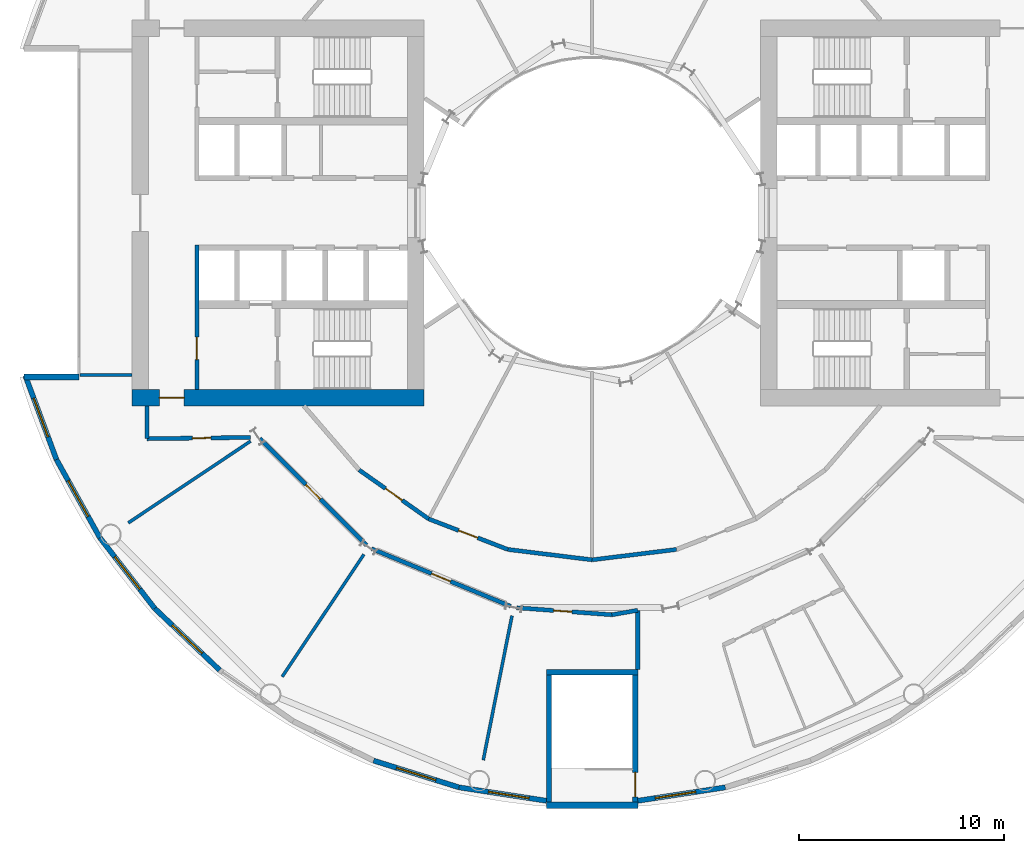
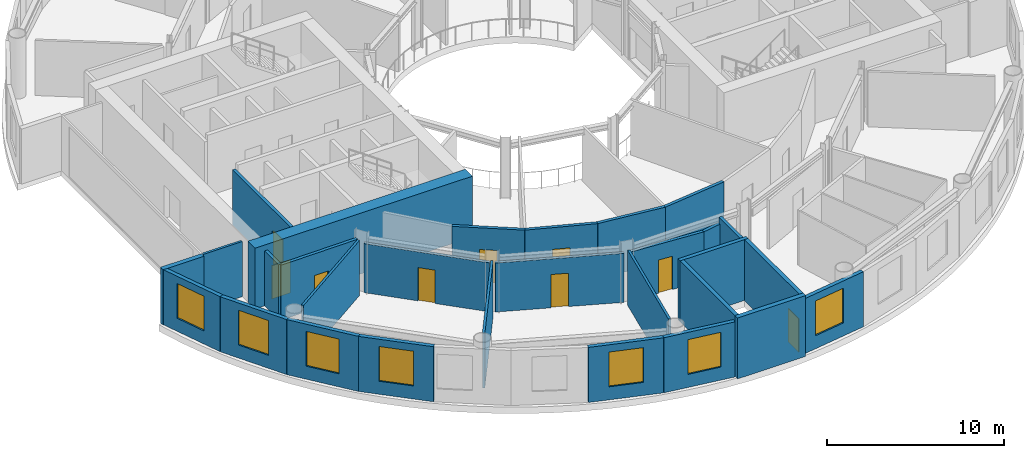
# One storey, part 4 of 13: 29 walls, 9 doors, 7 windows, 16 openings.
"""IFC4 building model written with IfcOpenShell, lengths in metres."""

from ifc_helpers import new_model, si_unit, direction, frame, frame_2d, origin, place, context, subcontext, project, spatial, rectangle, extrude, material, layer, layer_set, type_object, element, fill, save


model = new_model("IFC4")

# Units and contexts
model_context = context("Model", 3, precision=1e-05, world=origin(), true_north=direction((0.0, 1.0)))
body_context = subcontext(model_context, "Body", "Model", "MODEL_VIEW")
ifc_project = project(units=[si_unit("LENGTHUNIT", "METRE"), si_unit("AREAUNIT", "SQUARE_METRE"), si_unit("VOLUMEUNIT", "CUBIC_METRE"), si_unit("PLANEANGLEUNIT", "RADIAN"), si_unit("MASSUNIT", "GRAM", prefix="KILO")], contexts=[model_context])

# Site, building, storey
site_placement = place(None, origin())
site = spatial("IfcSite", under=ifc_project, at=site_placement, CompositionType="ELEMENT")
building_placement = place(site_placement, origin())
building = spatial("IfcBuilding", under=site, at=building_placement, Name="Maasbend Ring Residences", CompositionType="ELEMENT")
storey_placement = place(building_placement, frame((0.0, 0.0, 14.10009765625)))
storey = spatial("IfcBuildingStorey", under=building, at=storey_placement, Name="L03", CompositionType="ELEMENT", Elevation=14.10009765625)

# Wall, opening, door
ifc_material_1 = material(Name="Concrete C70/85", Category="concrete")
ifc_layer_1 = layer(ifc_material_1, 0.25)
ifc_layer_set_1 = layer_set([ifc_layer_1], Name="Concrete C70/85")
wall_type_1 = type_object("IfcWallType", Name="CORE WALL 250 C70/85", PredefinedType="SHEAR", material=ifc_layer_set_1)
wall_1_placement = place(storey_placement, frame((2.10009765625, -28.699951171875, 0.0), z_axis=(0.0, 0.0, 1.0), x_axis=(0.0, 1.0, 0.0)))
wall_1 = element("IfcWall", 1, at=wall_1_placement, inside=storey, type_object=wall_type_1, Name="L03 ST-P3 enclosure wall WS+", PredefinedType="SHEAR", context=body_context, shape_type="SweptSolid", body=[
    extrude(rectangle(XDim=6.449951171875, YDim=0.25, at=frame_2d((3.22509765625, 0.0))), origin(), (0.0, 0.0, 1.0), 4.199951171875),
])
opening_1_placement = place(wall_1_placement, frame((0.25, 0.0, 0.0)))
opening_1 = element("IfcOpeningElement", 2, at=opening_1_placement, cuts=wall_1, Name="Opening D-P303S", PredefinedType="OPENING", context=body_context, shape_type="SweptSolid", body=[
    extrude(rectangle(XDim=1.199951171875, YDim=2.300048828125, at=frame_2d((0.60009765625, 1.14990234375))), frame((0.0, 0.135009765625, 0.0), z_axis=(0.0, -1.0, 0.0), x_axis=(1.0, 0.0, 0.0)), (0.0, 0.0, 1.0), 0.27001953125),
])
ifc_material_2 = material(Name="Steel, powder coated", Category="steel")
door_type_1 = type_object("IfcDoorType", Name="STAIR DOOR 1200 X 2300 FD60", OperationType="NOTDEFINED", PredefinedType="DOOR", material=ifc_material_2)
door_1_placement = place(opening_1_placement, origin())
door_1 = element("IfcDoor", 3, at=door_1_placement, inside=storey, type_object=door_type_1, Name="Stair door ST-P3 L03", OperationType="SINGLE_SWING_RIGHT", OverallHeight=2.300048828125, OverallWidth=1.199951171875, PredefinedType="DOOR", context=body_context, shape_type="SweptSolid", body=[
    extrude(rectangle(XDim=1.199951171875, YDim=2.300048828125, at=frame_2d((0.60009765625, 1.14990234375))), frame((0.0, 0.02490234375, 0.0), z_axis=(0.0, -1.0, 0.0), x_axis=(1.0, 0.0, 0.0)), (0.0, 0.0, 1.0), 0.050048828125),
])
fill(opening_1, door_1)

# Walls
wall_2_placement = place(storey_placement, frame((-2.10009765625, -22.25, 0.0), z_axis=(0.0, 0.0, 1.0), x_axis=(0.0, -1.0, 0.0)))
element("IfcWall", 4, at=wall_2_placement, inside=storey, type_object=wall_type_1, Name="L03 ST-P3 enclosure wall WS-", PredefinedType="SHEAR", context=body_context, shape_type="SweptSolid", body=[
    extrude(rectangle(XDim=6.449951171875, YDim=0.25, at=frame_2d((3.22509765625, 0.0))), origin(), (0.0, 0.0, 1.0), 4.199951171875),
])
wall_3_placement = place(storey_placement, frame((-2.22509765625, -22.375, 0.0), z_axis=(0.0, 0.0, 1.0), x_axis=(1.0, 0.0, 0.0)))
element("IfcWall", 5, at=wall_3_placement, inside=storey, type_object=wall_type_1, Name="L03 ST-P3 enclosure wall WIN", PredefinedType="SHEAR", context=body_context, shape_type="SweptSolid", body=[
    extrude(rectangle(XDim=4.4501953125, YDim=0.25, at=frame_2d((2.22509765625, 0.0))), origin(), (0.0, 0.0, 1.0), 4.199951171875),
])
ifc_material_3 = material(Name="Concrete C70/85", Category="concrete")
ifc_layer_2 = layer(ifc_material_3, 0.300048828125)
ifc_layer_set_2 = layer_set([ifc_layer_2], Name="Concrete C70/85")
wall_type_2 = type_object("IfcWallType", Name="CORE WALL 300 C70/85", PredefinedType="SHEAR", material=ifc_layer_set_2)
wall_4_placement = place(storey_placement, frame((-2.22509765625, -28.85009765625, 0.0), z_axis=(0.0, 0.0, 1.0), x_axis=(1.0, 0.0, 0.0)))
element("IfcWall", 6, at=wall_4_placement, inside=storey, type_object=wall_type_2, Name="L03 ST-P3 enclosure wall WOUT", PredefinedType="SHEAR", context=body_context, shape_type="SweptSolid", body=[
    extrude(rectangle(XDim=4.4501953125, YDim=0.300048828125, at=frame_2d((2.22509765625, 0.0))), origin(), (0.0, 0.0, 1.0), 4.199951171875),
])

# Wall, opening, door
ifc_material_4 = material(Name="Concrete C70/85", Category="concrete")
ifc_layer_3 = layer(ifc_material_4, 0.800048828125)
ifc_layer_set_3 = layer_set([ifc_layer_3], Name="Concrete C70/85")
wall_type_3 = type_object("IfcWallType", Name="CORE WALL 800 C70/85", PredefinedType="SHEAR", material=ifc_layer_set_3)
wall_5_placement = place(storey_placement, frame((-22.39990234375, -9.0, 0.0), z_axis=(0.0, 0.0, 1.0), x_axis=(1.0, 0.0, 0.0)))
wall_5 = element("IfcWall", 7, at=wall_5_placement, inside=storey, type_object=wall_type_3, Name="L03 core W wall PN", PredefinedType="SHEAR", context=body_context, shape_type="SweptSolid", body=[
    extrude(rectangle(XDim=14.199951171875, YDim=0.800048828125, at=frame_2d((7.10009765625, 0.0))), origin(), (0.0, 0.0, 1.0), 4.199951171875),
])
opening_2_placement = place(wall_5_placement, frame((1.324951171875, 0.0, 0.0)))
opening_2 = element("IfcOpeningElement", 8, at=opening_2_placement, cuts=wall_5, Name="Opening D-W0313", PredefinedType="OPENING", context=body_context, shape_type="SweptSolid", body=[
    extrude(rectangle(XDim=1.199951171875, YDim=2.300048828125, at=frame_2d((0.60009765625, 1.14990234375))), frame((0.0, 0.41015625, 0.0), z_axis=(0.0, -1.0, 0.0), x_axis=(1.0, 0.0, 0.0)), (0.0, 0.0, 1.0), 0.820068359375),
])
ifc_material_5 = material(Name="Steel, powder coated", Category="steel")
door_type_2 = type_object("IfcDoorType", Name="CORRIDOR DOOR 1200 X 2300 FD30S", OperationType="NOTDEFINED", PredefinedType="DOOR", material=ifc_material_5)
door_2_placement = place(opening_2_placement, origin())
door_2 = element("IfcDoor", 9, at=door_2_placement, inside=storey, type_object=door_type_2, Name="Corridor door L03", OperationType="SINGLE_SWING_RIGHT", OverallHeight=2.300048828125, OverallWidth=1.199951171875, PredefinedType="DOOR", context=body_context, shape_type="SweptSolid", body=[
    extrude(rectangle(XDim=1.199951171875, YDim=2.300048828125, at=frame_2d((0.60009765625, 1.14990234375))), frame((0.0, 0.02490234375, 0.0), z_axis=(0.0, -1.0, 0.0), x_axis=(1.0, 0.0, 0.0)), (0.0, 0.0, 1.0), 0.050048828125),
])
fill(opening_2, door_2)

ifc_material_6 = material(Name="Concrete C30/37", Category="concrete")
ifc_layer_4 = layer(ifc_material_6, 0.199951171875)
ifc_layer_set_4 = layer_set([ifc_layer_4], Name="Concrete C30/37")
wall_type_4 = type_object("IfcWallType", Name="CORRIDOR WALL 200 CONCRETE", PredefinedType="PARTITIONING", material=ifc_layer_set_4)
wall_6_placement = place(storey_placement, frame((-3.6708984375, -19.23388671875, 0.0), z_axis=(0.0, 0.0, 1.0), x_axis=(0.997285649759, -0.073629700427, 0.0)))
wall_6 = element("IfcWall", 10, at=wall_6_placement, inside=storey, type_object=wall_type_4, Name="U-L03-w004", PredefinedType="PARTITIONING", context=body_context, shape_type="SweptSolid", body=[
    extrude(rectangle(XDim=4.6455078125, YDim=0.199951171875, at=frame_2d((2.32275390625, 0.0))), origin(), (0.0, 0.0, 1.0), 3.3798828125),
])
opening_3_placement = place(wall_6_placement, frame((1.7958984375, 0.0, 0.0)))
opening_3 = element("IfcOpeningElement", 11, at=opening_3_placement, cuts=wall_6, Name="Opening D-0319", PredefinedType="OPENING", context=body_context, shape_type="SweptSolid", body=[
    extrude(rectangle(XDim=0.89990234375, YDim=2.300048828125, at=frame_2d((0.449951171875, 1.14990234375))), frame((0.0, 0.10986328125, 0.0), z_axis=(0.0, -1.0, 0.0), x_axis=(1.0, 0.0, 0.0)), (0.0, 0.0, 1.0), 0.219970703125),
])
ifc_material_7 = material(Name="Steel, fire-rated, painted", Category="steel")
door_type_3 = type_object("IfcDoorType", Name="SERVICE DOOR 900 X 2300 FIRE-RATED", OperationType="NOTDEFINED", PredefinedType="DOOR", material=ifc_material_7)
door_3_placement = place(opening_3_placement, origin())
door_3 = element("IfcDoor", 12, at=door_3_placement, inside=storey, type_object=door_type_3, Name="D-0319", OperationType="SINGLE_SWING_LEFT", OverallHeight=2.300048828125, OverallWidth=0.89990234375, PredefinedType="DOOR", context=body_context, shape_type="SweptSolid", body=[
    extrude(rectangle(XDim=0.89990234375, YDim=2.300048828125, at=frame_2d((0.449951171875, 1.14990234375))), frame((0.0, 0.02490234375, 0.0), z_axis=(0.0, -1.0, 0.0), x_axis=(1.0, 0.0, 0.0)), (0.0, 0.0, 1.0), 0.050048828125),
])
fill(opening_3, door_3)

# Wall
wall_7_placement = place(storey_placement, frame((0.9619140625, -19.575927734375, 0.0), z_axis=(0.0, 0.0, 1.0), x_axis=(0.985302465297, 0.170818769109, 0.0)))
element("IfcWall", 13, at=wall_7_placement, inside=storey, type_object=wall_type_4, Name="U-L03-w005", PredefinedType="PARTITIONING", context=body_context, shape_type="SweptSolid", body=[
    extrude(rectangle(XDim=1.281982421875, YDim=0.199951171875, at=frame_2d((0.64111328125, 0.0))), origin(), (0.0, 0.0, 1.0), 3.3798828125),
])

# Wall, opening, door
wall_8_placement = place(storey_placement, frame((-16.18798828125, -10.998046875, 0.0), z_axis=(0.0, 0.0, 1.0), x_axis=(0.707106781187, -0.707106781187, 0.0)))
wall_8 = element("IfcWall", 14, at=wall_8_placement, inside=storey, type_object=wall_type_4, Name="U-L03-w007", PredefinedType="PARTITIONING", context=body_context, shape_type="SweptSolid", body=[
    extrude(rectangle(XDim=7.339599609375, YDim=0.199951171875, at=frame_2d((3.669921875, 0.0))), origin(), (0.0, 0.0, 1.0), 3.3798828125),
])
opening_4_placement = place(wall_8_placement, frame((3.169921875, 0.0, 0.0)))
opening_4 = element("IfcOpeningElement", 15, at=opening_4_placement, cuts=wall_8, Name="Opening D-0317", PredefinedType="OPENING", context=body_context, shape_type="SweptSolid", body=[
    extrude(rectangle(XDim=1.0, YDim=2.300048828125, at=frame_2d((0.5, 1.14990234375))), frame((0.0, 0.10986328125, 0.0), z_axis=(0.0, -1.0, 0.0), x_axis=(1.0, 0.0, 0.0)), (0.0, 0.0, 1.0), 0.219970703125),
])
ifc_material_8 = material(Name="Timber, painted", Category="wood")
door_type_4 = type_object("IfcDoorType", Name="ROOM DOOR 1000 X 2300", OperationType="NOTDEFINED", PredefinedType="DOOR", material=ifc_material_8)
door_4_placement = place(opening_4_placement, origin())
door_4 = element("IfcDoor", 16, at=door_4_placement, inside=storey, type_object=door_type_4, Name="D-0317", OperationType="SINGLE_SWING_RIGHT", OverallHeight=2.300048828125, OverallWidth=1.0, PredefinedType="DOOR", context=body_context, shape_type="SweptSolid", body=[
    extrude(rectangle(XDim=1.0, YDim=2.300048828125, at=frame_2d((0.5, 1.14990234375))), frame((0.0, 0.02490234375, 0.0), z_axis=(0.0, -1.0, 0.0), x_axis=(1.0, 0.0, 0.0)), (0.0, 0.0, 1.0), 0.050048828125),
])
fill(opening_4, door_4)

wall_9_placement = place(storey_placement, frame((-10.7470703125, -16.35595703125, 0.0), z_axis=(0.0, 0.0, 1.0), x_axis=(0.923912243701, -0.382604451019, 0.0)))
wall_9 = element("IfcWall", 17, at=wall_9_placement, inside=storey, type_object=wall_type_4, Name="U-L03-w008", PredefinedType="PARTITIONING", context=body_context, shape_type="SweptSolid", body=[
    extrude(rectangle(XDim=7.33935546875, YDim=0.199951171875, at=frame_2d((3.669677734375, 0.0))), origin(), (0.0, 0.0, 1.0), 3.3798828125),
])
opening_5_placement = place(wall_9_placement, frame((3.169921875, 0.0, 0.0)))
opening_5 = element("IfcOpeningElement", 18, at=opening_5_placement, cuts=wall_9, Name="Opening D-0318", PredefinedType="OPENING", context=body_context, shape_type="SweptSolid", body=[
    extrude(rectangle(XDim=1.0, YDim=2.300048828125, at=frame_2d((0.5, 1.14990234375))), frame((0.0, 0.10986328125, 0.0), z_axis=(0.0, -1.0, 0.0), x_axis=(1.0, 0.0, 0.0)), (0.0, 0.0, 1.0), 0.219970703125),
])
door_5_placement = place(opening_5_placement, origin())
door_5 = element("IfcDoor", 19, at=door_5_placement, inside=storey, type_object=door_type_4, Name="D-0318", OperationType="SINGLE_SWING_RIGHT", OverallHeight=2.300048828125, OverallWidth=1.0, PredefinedType="DOOR", context=body_context, shape_type="SweptSolid", body=[
    extrude(rectangle(XDim=1.0, YDim=2.300048828125, at=frame_2d((0.5, 1.14990234375))), frame((0.0, 0.02490234375, 0.0), z_axis=(0.0, -1.0, 0.0), x_axis=(1.0, 0.0, 0.0)), (0.0, 0.0, 1.0), 0.050048828125),
])
fill(opening_5, door_5)

wall_10_placement = place(storey_placement, frame((-11.34912109375, -12.52197265625, 0.0), z_axis=(0.0, 0.0, 1.0), x_axis=(0.817567680547, -0.575832517079, 0.0)))
wall_10 = element("IfcWall", 20, at=wall_10_placement, inside=storey, type_object=wall_type_4, Name="U-L03-w011", PredefinedType="PARTITIONING", context=body_context, shape_type="SweptSolid", body=[
    extrude(rectangle(XDim=4.13671875, YDim=0.199951171875, at=frame_2d((2.068359375, 0.0))), origin(), (0.0, 0.0, 1.0), 3.7998046875),
])
opening_6_placement = place(wall_10_placement, frame((1.568115234375, 0.0, 0.0)))
opening_6 = element("IfcOpeningElement", 21, at=opening_6_placement, cuts=wall_10, Name="Opening D-0321", PredefinedType="OPENING", context=body_context, shape_type="SweptSolid", body=[
    extrude(rectangle(XDim=1.0, YDim=2.300048828125, at=frame_2d((0.5, 1.14990234375))), frame((0.0, 0.10986328125, 0.0), z_axis=(0.0, -1.0, 0.0), x_axis=(1.0, 0.0, 0.0)), (0.0, 0.0, 1.0), 0.219970703125),
])
door_6_placement = place(opening_6_placement, origin())
door_6 = element("IfcDoor", 22, at=door_6_placement, inside=storey, type_object=door_type_4, Name="D-0321", OperationType="SINGLE_SWING_RIGHT", OverallHeight=2.300048828125, OverallWidth=1.0, PredefinedType="DOOR", context=body_context, shape_type="SweptSolid", body=[
    extrude(rectangle(XDim=1.0, YDim=2.300048828125, at=frame_2d((0.5, 1.14990234375))), frame((0.0, 0.02490234375, 0.0), z_axis=(0.0, -1.0, 0.0), x_axis=(1.0, 0.0, 0.0)), (0.0, 0.0, 1.0), 0.050048828125),
])
fill(opening_6, door_6)

wall_11_placement = place(storey_placement, frame((-7.967041015625, -14.904052734375, 0.0), z_axis=(0.0, 0.0, 1.0), x_axis=(0.932943640288, -0.360022449363, 0.0)))
wall_11 = element("IfcWall", 23, at=wall_11_placement, inside=storey, type_object=wall_type_4, Name="U-L03-w012", PredefinedType="PARTITIONING", context=body_context, shape_type="SweptSolid", body=[
    extrude(rectangle(XDim=4.138671875, YDim=0.199951171875, at=frame_2d((2.0693359375, 0.0))), origin(), (0.0, 0.0, 1.0), 3.7998046875),
])
opening_7_placement = place(wall_11_placement, frame((1.569091796875, 0.0, 0.0)))
opening_7 = element("IfcOpeningElement", 24, at=opening_7_placement, cuts=wall_11, Name="Opening D-0322", PredefinedType="OPENING", context=body_context, shape_type="SweptSolid", body=[
    extrude(rectangle(XDim=1.0, YDim=2.300048828125, at=frame_2d((0.5, 1.14990234375))), frame((0.0, 0.10986328125, 0.0), z_axis=(0.0, -1.0, 0.0), x_axis=(1.0, 0.0, 0.0)), (0.0, 0.0, 1.0), 0.219970703125),
])
door_7_placement = place(opening_7_placement, origin())
door_7 = element("IfcDoor", 25, at=door_7_placement, inside=storey, type_object=door_type_4, Name="D-0322", OperationType="SINGLE_SWING_LEFT", OverallHeight=2.300048828125, OverallWidth=1.0, PredefinedType="DOOR", context=body_context, shape_type="SweptSolid", body=[
    extrude(rectangle(XDim=1.0, YDim=2.300048828125, at=frame_2d((0.5, 1.14990234375))), frame((0.0, 0.02490234375, 0.0), z_axis=(0.0, -1.0, 0.0), x_axis=(1.0, 0.0, 0.0)), (0.0, 0.0, 1.0), 0.050048828125),
])
fill(opening_7, door_7)

# Walls
for number, where, z_axis, x_axis, name in (
    (26, (-4.10595703125, -16.39404296875, 0.0), (0.0, 0.0, 1.0), (0.992496033272, -0.122276833211, 0.0), "U-L03-w013"),
    (27, (0.0, -16.89990234375, 0.0), (0.0, 0.0, 1.0), (0.992496033272, 0.122276833211, 0.0), "U-L03-w014"),
):
    element("IfcWall", number, at=place(storey_placement, frame(where, z_axis=z_axis, x_axis=x_axis)), inside=storey, type_object=wall_type_4, Name=name, PredefinedType="PARTITIONING", context=body_context, shape_type="SweptSolid", body=[
        extrude(rectangle(XDim=4.136962890625, YDim=0.199951171875, at=frame_2d((2.068359375, 0.0))), origin(), (0.0, 0.0, 1.0), 3.7998046875),
    ])

# Wall, opening, door
wall_12_placement = place(storey_placement, frame((-21.675048828125, -11.0, 0.0), z_axis=(0.0, 0.0, 1.0), x_axis=(0.999924074118, 0.012322580895, 0.0)))
wall_12 = element("IfcWall", 28, at=wall_12_placement, inside=storey, type_object=wall_type_4, Name="U-L03-w018", PredefinedType="PARTITIONING", context=body_context, shape_type="SweptSolid", body=[
    extrude(rectangle(XDim=5.032470703125, YDim=0.199951171875, at=frame_2d((2.51611328125, 0.0))), origin(), (0.0, 0.0, 1.0), 3.7998046875),
])
opening_8_placement = place(wall_12_placement, frame((2.205078125, 0.0, 0.0)))
opening_8 = element("IfcOpeningElement", 29, at=opening_8_placement, cuts=wall_12, Name="Opening D-0325", PredefinedType="OPENING", context=body_context, shape_type="SweptSolid", body=[
    extrude(rectangle(XDim=0.89990234375, YDim=2.300048828125, at=frame_2d((0.449951171875, 1.14990234375))), frame((0.0, 0.10986328125, 0.0), z_axis=(0.0, -1.0, 0.0), x_axis=(1.0, 0.0, 0.0)), (0.0, 0.0, 1.0), 0.219970703125),
])
door_8_placement = place(opening_8_placement, origin())
door_8 = element("IfcDoor", 30, at=door_8_placement, inside=storey, type_object=door_type_3, Name="D-0325", OperationType="SINGLE_SWING_RIGHT", OverallHeight=2.300048828125, OverallWidth=0.89990234375, PredefinedType="DOOR", context=body_context, shape_type="SweptSolid", body=[
    extrude(rectangle(XDim=0.89990234375, YDim=2.300048828125, at=frame_2d((0.449951171875, 1.14990234375))), frame((0.0, 0.02490234375, 0.0), z_axis=(0.0, -1.0, 0.0), x_axis=(1.0, 0.0, 0.0)), (0.0, 0.0, 1.0), 0.050048828125),
])
fill(opening_8, door_8)

# Walls
wall_13_placement = place(storey_placement, frame((2.22509765625, -22.22998046875, 0.0), z_axis=(0.0, 0.0, 1.0), x_axis=(0.0, 1.0, 0.0)))
element("IfcWall", 31, at=wall_13_placement, inside=storey, type_object=wall_type_4, Name="U-L03-w020", PredefinedType="PARTITIONING", context=body_context, shape_type="SweptSolid", body=[
    extrude(rectangle(XDim=2.873046875, YDim=0.199951171875, at=frame_2d((1.4365234375, 0.0))), origin(), (0.0, 0.0, 1.0), 3.7998046875),
])
wall_14_placement = place(storey_placement, frame((-21.675048828125, -11.0, 0.0), z_axis=(0.0, 0.0, 1.0), x_axis=(0.0, 1.0, 0.0)))
element("IfcWall", 32, at=wall_14_placement, inside=storey, type_object=wall_type_4, Name="U-L03-w064", PredefinedType="PARTITIONING", context=body_context, shape_type="SweptSolid", body=[
    extrude(rectangle(XDim=1.60009765625, YDim=0.199951171875, at=frame_2d((0.800048828125, 0.0))), origin(), (0.0, 0.0, 1.0), 3.7998046875),
])

# Wall, opening, window
ifc_material_9 = material(Name="Aluminium clad insulated panel", Category="aluminium")
ifc_layer_5 = layer(ifc_material_9, 0.25)
ifc_layer_set_5 = layer_set([ifc_layer_5], Name="EW-GL")
wall_type_5 = type_object("IfcWallType", Name="EW-GL", PredefinedType="SOLIDWALL", material=ifc_layer_set_5)
wall_15_placement = place(storey_placement, frame((-27.610107421875, -7.924072265625, 0.0), z_axis=(0.0, 0.0, 1.0), x_axis=(0.348003729264, -0.937493148998, 0.0)))
wall_15 = element("IfcWall", 33, at=wall_15_placement, inside=storey, type_object=wall_type_5, Name="Community floor wall 18", PredefinedType="SOLIDWALL", context=body_context, shape_type="SweptSolid", body=[
    extrude(rectangle(XDim=4.359375, YDim=0.25, at=frame_2d((2.1796875, 0.0))), origin(), (0.0, 0.0, 1.0), 3.7998046875),
])
opening_9_placement = place(wall_15_placement, frame((1.179931640625, 0.0, 0.89990234375)))
opening_9 = element("IfcOpeningElement", 34, at=opening_9_placement, cuts=wall_15, Name="Opening W-BD", PredefinedType="OPENING", context=body_context, shape_type="SweptSolid", body=[
    extrude(rectangle(XDim=2.0, YDim=2.39990234375, at=frame_2d((1.0, 1.199951171875))), frame((0.0, 0.135009765625, 0.0), z_axis=(0.0, -1.0, 0.0), x_axis=(1.0, 0.0, 0.0)), (0.0, 0.0, 1.0), 0.27001953125),
])
ifc_material_10 = material(Name="Aluminium and clear glass", Category="aluminium")
window_type = type_object("IfcWindowType", Name="W-BD", PartitioningType="DOUBLE_PANEL_VERTICAL", PredefinedType="WINDOW", material=ifc_material_10)
window_1_placement = place(opening_9_placement, origin())
window_1 = element("IfcWindow", 35, at=window_1_placement, inside=storey, type_object=window_type, Name="Community floor window 18", OverallHeight=2.39990234375, OverallWidth=2.0, PartitioningType="SINGLE_PANEL", PredefinedType="WINDOW", context=body_context, shape_type="SweptSolid", body=[
    extrude(rectangle(XDim=2.0, YDim=2.39990234375, at=frame_2d((1.0, 1.199951171875))), frame((0.0, 0.030029296875, 0.0), z_axis=(0.0, -1.0, 0.0), x_axis=(1.0, 0.0, 0.0)), (0.0, 0.0, 1.0), 0.06005859375),
])
fill(opening_9, window_1)

wall_16_placement = place(storey_placement, frame((-26.093017578125, -12.010986328125, 0.0), z_axis=(0.0, 0.0, 1.0), x_axis=(0.485761785263, -0.8740912355, 0.0)))
wall_16 = element("IfcWall", 36, at=wall_16_placement, inside=storey, type_object=wall_type_5, Name="Community floor wall 19", PredefinedType="SOLIDWALL", context=body_context, shape_type="SweptSolid", body=[
    extrude(rectangle(XDim=4.360107421875, YDim=0.25, at=frame_2d((2.18017578125, 0.0))), origin(), (0.0, 0.0, 1.0), 3.7998046875),
])
opening_10_placement = place(wall_16_placement, frame((1.179931640625, 0.0, 0.89990234375)))
opening_10 = element("IfcOpeningElement", 37, at=opening_10_placement, cuts=wall_16, Name="Opening W-BD", PredefinedType="OPENING", context=body_context, shape_type="SweptSolid", body=[
    extrude(rectangle(XDim=2.0, YDim=2.39990234375, at=frame_2d((1.0, 1.199951171875))), frame((0.0, 0.135009765625, 0.0), z_axis=(0.0, -1.0, 0.0), x_axis=(1.0, 0.0, 0.0)), (0.0, 0.0, 1.0), 0.27001953125),
])
window_2_placement = place(opening_10_placement, origin())
window_2 = element("IfcWindow", 38, at=window_2_placement, inside=storey, type_object=window_type, Name="Community floor window 19", OverallHeight=2.39990234375, OverallWidth=2.0, PartitioningType="SINGLE_PANEL", PredefinedType="WINDOW", context=body_context, shape_type="SweptSolid", body=[
    extrude(rectangle(XDim=2.0, YDim=2.39990234375, at=frame_2d((1.0, 1.199951171875))), frame((0.0, 0.030029296875, 0.0), z_axis=(0.0, -1.0, 0.0), x_axis=(1.0, 0.0, 0.0)), (0.0, 0.0, 1.0), 0.06005859375),
])
fill(opening_10, window_2)

wall_17_placement = place(storey_placement, frame((-23.97509765625, -15.822021484375, 0.0), z_axis=(0.0, 0.0, 1.0), x_axis=(0.612637256412, -0.790364214812, 0.0)))
wall_17 = element("IfcWall", 39, at=wall_17_placement, inside=storey, type_object=wall_type_5, Name="Community floor wall 20", PredefinedType="SOLIDWALL", context=body_context, shape_type="SweptSolid", body=[
    extrude(rectangle(XDim=4.360107421875, YDim=0.25, at=frame_2d((2.18017578125, 0.0))), origin(), (0.0, 0.0, 1.0), 3.7998046875),
])
opening_11_placement = place(wall_17_placement, frame((1.179931640625, 0.0, 0.89990234375)))
opening_11 = element("IfcOpeningElement", 40, at=opening_11_placement, cuts=wall_17, Name="Opening W-BD", PredefinedType="OPENING", context=body_context, shape_type="SweptSolid", body=[
    extrude(rectangle(XDim=2.0, YDim=2.39990234375, at=frame_2d((1.0, 1.199951171875))), frame((0.0, 0.135009765625, 0.0), z_axis=(0.0, -1.0, 0.0), x_axis=(1.0, 0.0, 0.0)), (0.0, 0.0, 1.0), 0.27001953125),
])
window_3_placement = place(opening_11_placement, origin())
window_3 = element("IfcWindow", 41, at=window_3_placement, inside=storey, type_object=window_type, Name="Community floor window 20", OverallHeight=2.39990234375, OverallWidth=2.0, PartitioningType="SINGLE_PANEL", PredefinedType="WINDOW", context=body_context, shape_type="SweptSolid", body=[
    extrude(rectangle(XDim=2.0, YDim=2.39990234375, at=frame_2d((1.0, 1.199951171875))), frame((0.0, 0.030029296875, 0.0), z_axis=(0.0, -1.0, 0.0), x_axis=(1.0, 0.0, 0.0)), (0.0, 0.0, 1.0), 0.06005859375),
])
fill(opening_11, window_3)

wall_18_placement = place(storey_placement, frame((-21.303955078125, -19.26806640625, 0.0), z_axis=(0.0, 0.0, 1.0), x_axis=(0.725101501119, -0.68864200647, 0.0)))
wall_18 = element("IfcWall", 42, at=wall_18_placement, inside=storey, type_object=wall_type_5, Name="Community floor wall 21", PredefinedType="SOLIDWALL", context=body_context, shape_type="SweptSolid", body=[
    extrude(rectangle(XDim=4.359130859375, YDim=0.25, at=frame_2d((2.1796875, 0.0))), origin(), (0.0, 0.0, 1.0), 3.7998046875),
])
opening_12_placement = place(wall_18_placement, frame((1.179931640625, 0.0, 0.89990234375)))
opening_12 = element("IfcOpeningElement", 43, at=opening_12_placement, cuts=wall_18, Name="Opening W-BD", PredefinedType="OPENING", context=body_context, shape_type="SweptSolid", body=[
    extrude(rectangle(XDim=2.0, YDim=2.39990234375, at=frame_2d((1.0, 1.199951171875))), frame((0.0, 0.135009765625, 0.0), z_axis=(0.0, -1.0, 0.0), x_axis=(1.0, 0.0, 0.0)), (0.0, 0.0, 1.0), 0.27001953125),
])
window_4_placement = place(opening_12_placement, origin())
window_4 = element("IfcWindow", 44, at=window_4_placement, inside=storey, type_object=window_type, Name="Community floor window 21", OverallHeight=2.39990234375, OverallWidth=2.0, PartitioningType="SINGLE_PANEL", PredefinedType="WINDOW", context=body_context, shape_type="SweptSolid", body=[
    extrude(rectangle(XDim=2.0, YDim=2.39990234375, at=frame_2d((1.0, 1.199951171875))), frame((0.0, 0.030029296875, 0.0), z_axis=(0.0, -1.0, 0.0), x_axis=(1.0, 0.0, 0.0)), (0.0, 0.0, 1.0), 0.06005859375),
])
fill(opening_12, window_4)

wall_19_placement = place(storey_placement, frame((-10.64892578125, -26.677978515625, 0.0), z_axis=(0.0, 0.0, 1.0), x_axis=(0.954219534331, -0.299107138498, 0.0)))
wall_19 = element("IfcWall", 45, at=wall_19_placement, inside=storey, type_object=wall_type_5, Name="Community floor wall 24", PredefinedType="SOLIDWALL", context=body_context, shape_type="SweptSolid", body=[
    extrude(rectangle(XDim=4.359375, YDim=0.25, at=frame_2d((2.1796875, 0.0))), origin(), (0.0, 0.0, 1.0), 3.7998046875),
])
opening_13_placement = place(wall_19_placement, frame((1.179931640625, 0.0, 0.89990234375)))
opening_13 = element("IfcOpeningElement", 46, at=opening_13_placement, cuts=wall_19, Name="Opening W-BD", PredefinedType="OPENING", context=body_context, shape_type="SweptSolid", body=[
    extrude(rectangle(XDim=2.0, YDim=2.39990234375, at=frame_2d((1.0, 1.199951171875))), frame((0.0, 0.135009765625, 0.0), z_axis=(0.0, -1.0, 0.0), x_axis=(1.0, 0.0, 0.0)), (0.0, 0.0, 1.0), 0.27001953125),
])
window_5_placement = place(opening_13_placement, origin())
window_5 = element("IfcWindow", 47, at=window_5_placement, inside=storey, type_object=window_type, Name="Community floor window 24", OverallHeight=2.39990234375, OverallWidth=2.0, PartitioningType="SINGLE_PANEL", PredefinedType="WINDOW", context=body_context, shape_type="SweptSolid", body=[
    extrude(rectangle(XDim=2.0, YDim=2.39990234375, at=frame_2d((1.0, 1.199951171875))), frame((0.0, 0.030029296875, 0.0), z_axis=(0.0, -1.0, 0.0), x_axis=(1.0, 0.0, 0.0)), (0.0, 0.0, 1.0), 0.06005859375),
])
fill(opening_13, window_5)

wall_20_placement = place(storey_placement, frame((-6.489013671875, -27.98193359375, 0.0), z_axis=(0.0, 0.0, 1.0), x_axis=(0.988472895049, -0.151397938406, 0.0)))
wall_20 = element("IfcWall", 48, at=wall_20_placement, inside=storey, type_object=wall_type_5, Name="Community floor wall 25a", PredefinedType="SOLIDWALL", context=body_context, shape_type="SweptSolid", body=[
    extrude(rectangle(XDim=4.313720703125, YDim=0.25, at=frame_2d((2.15673828125, 0.0))), origin(), (0.0, 0.0, 1.0), 3.7998046875),
])
opening_14_placement = place(wall_20_placement, frame((1.455322265625, 0.0, 0.89990234375)))
opening_14 = element("IfcOpeningElement", 49, at=opening_14_placement, cuts=wall_20, Name="Opening W-BD", PredefinedType="OPENING", context=body_context, shape_type="SweptSolid", body=[
    extrude(rectangle(XDim=2.0, YDim=2.39990234375, at=frame_2d((1.0, 1.199951171875))), frame((0.0, 0.135009765625, 0.0), z_axis=(0.0, -1.0, 0.0), x_axis=(1.0, 0.0, 0.0)), (0.0, 0.0, 1.0), 0.27001953125),
])
window_6_placement = place(opening_14_placement, origin())
window_6 = element("IfcWindow", 50, at=window_6_placement, inside=storey, type_object=window_type, Name="Community floor window 25a", OverallHeight=2.39990234375, OverallWidth=2.0, PartitioningType="SINGLE_PANEL", PredefinedType="WINDOW", context=body_context, shape_type="SweptSolid", body=[
    extrude(rectangle(XDim=2.0, YDim=2.39990234375, at=frame_2d((1.0, 1.199951171875))), frame((0.0, 0.030029296875, 0.0), z_axis=(0.0, -1.0, 0.0), x_axis=(1.0, 0.0, 0.0)), (0.0, 0.0, 1.0), 0.06005859375),
])
fill(opening_14, window_6)

wall_21_placement = place(storey_placement, frame((2.22509765625, -28.635009765625, 0.0), z_axis=(0.0, 0.0, 1.0), x_axis=(0.988472895049, 0.151397938406, 0.0)))
wall_21 = element("IfcWall", 51, at=wall_21_placement, inside=storey, type_object=wall_type_5, Name="Community floor wall 27a", PredefinedType="SOLIDWALL", context=body_context, shape_type="SweptSolid", body=[
    extrude(rectangle(XDim=4.313720703125, YDim=0.25, at=frame_2d((2.15673828125, 0.0))), origin(), (0.0, 0.0, 1.0), 3.7998046875),
])
opening_15_placement = place(wall_21_placement, frame((0.858642578125, 0.0, 0.89990234375)))
opening_15 = element("IfcOpeningElement", 52, at=opening_15_placement, cuts=wall_21, Name="Opening W-BD", PredefinedType="OPENING", context=body_context, shape_type="SweptSolid", body=[
    extrude(rectangle(XDim=2.0, YDim=2.39990234375, at=frame_2d((1.0, 1.199951171875))), frame((0.0, 0.135009765625, 0.0), z_axis=(0.0, -1.0, 0.0), x_axis=(1.0, 0.0, 0.0)), (0.0, 0.0, 1.0), 0.27001953125),
])
window_7_placement = place(opening_15_placement, origin())
window_7 = element("IfcWindow", 53, at=window_7_placement, inside=storey, type_object=window_type, Name="Community floor window 27a", OverallHeight=2.39990234375, OverallWidth=2.0, PartitioningType="SINGLE_PANEL", PredefinedType="WINDOW", context=body_context, shape_type="SweptSolid", body=[
    extrude(rectangle(XDim=2.0, YDim=2.39990234375, at=frame_2d((1.0, 1.199951171875))), frame((0.0, 0.030029296875, 0.0), z_axis=(0.0, -1.0, 0.0), x_axis=(1.0, 0.0, 0.0)), (0.0, 0.0, 1.0), 0.06005859375),
])
fill(opening_15, window_7)

# Walls
ifc_material_11 = material(Name="Aluminium clad insulated panel", Category="aluminium")
ifc_layer_6 = layer(ifc_material_11, 0.300048828125)
ifc_layer_set_6 = layer_set([ifc_layer_6], Name="EW-RET")
wall_type_6 = type_object("IfcWallType", Name="EW-RET", PredefinedType="SOLIDWALL", material=ifc_layer_set_6)
wall_22_placement = place(storey_placement, frame((-25.0, -8.0, 0.0), z_axis=(0.0, 0.0, 1.0), x_axis=(-1.0, 0.0, 0.0)))
element("IfcWall", 54, at=wall_22_placement, inside=storey, type_object=wall_type_6, Name="Notch return wall west south", PredefinedType="SOLIDWALL", context=body_context, shape_type="SweptSolid", body=[
    extrude(rectangle(XDim=2.6669921875, YDim=0.300048828125, at=frame_2d((1.33349609375, 0.0))), origin(), (0.0, 0.0, 1.0), 3.7998046875),
])
ifc_material_12 = material(Name="Gypsum board on steel studs", Category="steel")
ifc_layer_7 = layer(ifc_material_12, 0.14990234375)
ifc_layer_set_7 = layer_set([ifc_layer_7], Name="PARTITION 150 EI 60")
wall_type_7 = type_object("IfcWallType", Name="PARTITION 150 EI 60", PredefinedType="PARTITIONING", material=ifc_layer_set_7)
wall_23_placement = place(storey_placement, frame((-22.39990234375, -7.89990234375, 0.0), z_axis=(0.0, 0.0, 1.0), x_axis=(-1.0, 0.0, 0.0)))
element("IfcWall", 55, at=wall_23_placement, inside=storey, type_object=wall_type_7, Name="L03 core W wall CITN", PredefinedType="PARTITIONING", context=body_context, shape_type="SweptSolid", body=[
    extrude(rectangle(XDim=2.5400390625, YDim=0.14990234375, at=frame_2d((1.27001953125, 0.0))), origin(), (0.0, 0.0, 1.0), 3.7998046875),
])
ifc_material_13 = material(Name="Gypsum board on steel studs", Category="steel")
ifc_layer_8 = layer(ifc_material_13, 0.14990234375)
ifc_layer_set_8 = layer_set([ifc_layer_8], Name="PARTITION 150 GYPSUM")
wall_type_8 = type_object("IfcWallType", Name="PARTITION 150 GYPSUM", PredefinedType="PARTITIONING", material=ifc_layer_set_8)
wall_24_placement = place(storey_placement, frame((-22.593017578125, -15.10107421875, 0.0), z_axis=(0.0, 0.0, 1.0), x_axis=(0.831415754305, 0.555650828752, 0.0)))
element("IfcWall", 56, at=wall_24_placement, inside=storey, type_object=wall_type_8, Name="U-L03-w024", PredefinedType="PARTITIONING", context=body_context, shape_type="SweptSolid", body=[
    extrude(rectangle(XDim=7.16845703125, YDim=0.14990234375, at=frame_2d((3.584228515625, 0.0))), origin(), (0.0, 0.0, 1.0), 3.7998046875),
])
wall_25_placement = place(storey_placement, frame((-15.097900390625, -22.594970703125, 0.0), z_axis=(0.0, 0.0, 1.0), x_axis=(0.555627285648, 0.831431488123, 0.0)))
element("IfcWall", 57, at=wall_25_placement, inside=storey, type_object=wall_type_8, Name="U-L03-w025", PredefinedType="PARTITIONING", context=body_context, shape_type="SweptSolid", body=[
    extrude(rectangle(XDim=7.168212890625, YDim=0.14990234375, at=frame_2d((3.583984375, 0.0))), origin(), (0.0, 0.0, 1.0), 3.7998046875),
])
wall_26_placement = place(storey_placement, frame((-5.302001953125, -26.653076171875, 0.0), z_axis=(0.0, 0.0, 1.0), x_axis=(0.195166281073, 0.98077016815, 0.0)))
element("IfcWall", 58, at=wall_26_placement, inside=storey, type_object=wall_type_8, Name="U-L03-w032", PredefinedType="PARTITIONING", context=body_context, shape_type="SweptSolid", body=[
    extrude(rectangle(XDim=7.16796875, YDim=0.14990234375, at=frame_2d((3.583984375, 0.0))), origin(), (0.0, 0.0, 1.0), 3.7998046875),
])

# Wall, opening, door
ifc_material_14 = material(Name="Concrete C30/37", Category="concrete")
ifc_layer_9 = layer(ifc_material_14, 0.199951171875)
ifc_layer_set_9 = layer_set([ifc_layer_9], Name="Concrete C30/37")
wall_type_9 = type_object("IfcWallType", Name="SHAFT WALL 200 EI 120", PredefinedType="SOLIDWALL", material=ifc_layer_set_9)
wall_27_placement = place(storey_placement, frame((-19.25, -1.574951171875, 0.0), z_axis=(0.0, 0.0, 1.0), x_axis=(0.0, -1.0, 0.0)))
wall_27 = element("IfcWall", 59, at=wall_27_placement, inside=storey, type_object=wall_type_9, Name="L03 core W wall ENDN", PredefinedType="SOLIDWALL", context=body_context, shape_type="SweptSolid", body=[
    extrude(rectangle(XDim=7.025146484375, YDim=0.199951171875, at=frame_2d((3.5126953125, 0.0))), origin(), (0.0, 0.0, 1.0), 3.7998046875),
])
opening_16_placement = place(wall_27_placement, frame((4.47509765625, 0.0, 0.0)))
opening_16 = element("IfcOpeningElement", 60, at=opening_16_placement, cuts=wall_27, Name="Opening D-W0311", PredefinedType="OPENING", context=body_context, shape_type="SweptSolid", body=[
    extrude(rectangle(XDim=1.10009765625, YDim=2.300048828125, at=frame_2d((0.550048828125, 1.14990234375))), frame((0.0, 0.10986328125, 0.0), z_axis=(0.0, -1.0, 0.0), x_axis=(1.0, 0.0, 0.0)), (0.0, 0.0, 1.0), 0.219970703125),
])
ifc_material_15 = material(Name="Steel, powder coated", Category="steel")
door_type_5 = type_object("IfcDoorType", Name="LOBBY DOOR 1100 X 2300 FD60", OperationType="NOTDEFINED", PredefinedType="DOOR", material=ifc_material_15)
door_9_placement = place(opening_16_placement, origin())
door_9 = element("IfcDoor", 61, at=door_9_placement, inside=storey, type_object=door_type_5, Name="Lobby door L03", OperationType="SINGLE_SWING_LEFT", OverallHeight=2.300048828125, OverallWidth=1.10009765625, PredefinedType="DOOR", context=body_context, shape_type="SweptSolid", body=[
    extrude(rectangle(XDim=1.10009765625, YDim=2.300048828125, at=frame_2d((0.550048828125, 1.14990234375))), frame((0.0, 0.02490234375, 0.0), z_axis=(0.0, -1.0, 0.0), x_axis=(1.0, 0.0, 0.0)), (0.0, 0.0, 1.0), 0.050048828125),
])
fill(opening_16, door_9)

save(model, "model.ifc")
